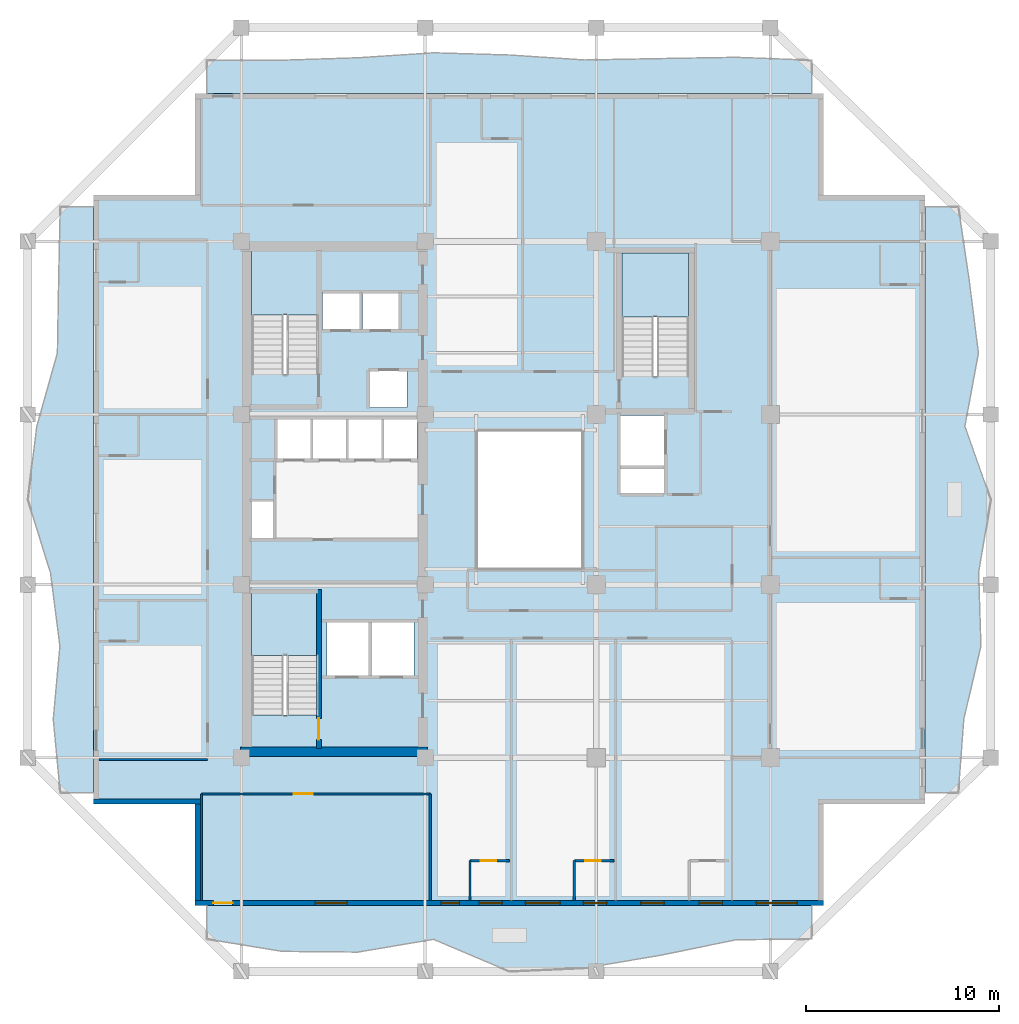
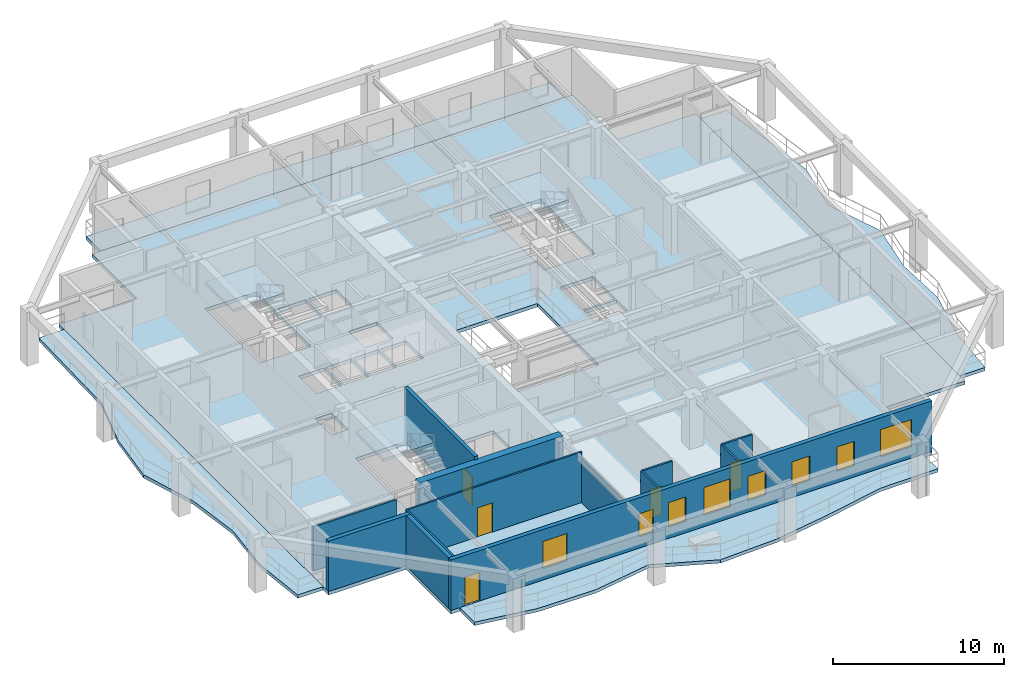
# One storey, part 2 of 12: 13 walls, 8 slabs, 8 windows, 5 doors, 13 openings, 3 elements without a shape of their own.
"""IFC4 building model written with IfcOpenShell, lengths in metres."""

from ifc_helpers import new_model, si_unit, direction, frame, frame_2d, origin, place, context, subcontext, project, spatial, polyline, rectangle, outline, extrude, material, layer, layer_set, type_object, element, fill, aggregate, save


model = new_model("IFC4")

# Units and contexts
model_context = context("Model", 3, precision=1e-05, world=origin(), true_north=direction((0.0, 1.0)))
body_context = subcontext(model_context, "Body", "Model", "MODEL_VIEW")
ifc_project = project(units=[si_unit("LENGTHUNIT", "METRE"), si_unit("AREAUNIT", "SQUARE_METRE"), si_unit("VOLUMEUNIT", "CUBIC_METRE"), si_unit("PLANEANGLEUNIT", "RADIAN"), si_unit("MASSUNIT", "GRAM", prefix="KILO")], contexts=[model_context])

# Site, building, storey
site_placement = place(None, origin())
site = spatial("IfcSite", under=ifc_project, at=site_placement, CompositionType="ELEMENT")
building_placement = place(site_placement, origin())
building = spatial("IfcBuilding", under=site, at=building_placement, Name="Kundavana Baori Tower", CompositionType="ELEMENT")
storey_placement = place(building_placement, frame((0.0, 0.0, 173.300048828125)))
storey = spatial("IfcBuildingStorey", under=building, at=storey_placement, Name="L42", CompositionType="ELEMENT", Elevation=173.300048828125)

# Slab
ifc_material_1 = material(Name="Concrete C40/50", Category="concrete")
ifc_layer_1 = layer(ifc_material_1, 0.25, Name="SLB-FLR-250")
ifc_layer_set_1 = layer_set([ifc_layer_1], Name="Concrete C40/50")
slab_type_1 = type_object("IfcSlabType", Name="SLB-FLR-250", PredefinedType="FLOOR", material=ifc_layer_set_1)
slab_1_placement = place(storey_placement, frame((0.0, 0.0, -0.25)))
element("IfcSlab", 1, at=slab_1_placement, inside=storey, type_object=slab_type_1, Name="L42 Structural Floor Slab", PredefinedType="FLOOR", context=body_context, shape_type="SweptSolid", body=[
    extrude(outline(polyline([(13.050048828125, 7.60009765625), (45.550048828125, 7.60009765625), (45.550048828125, 12.85009765625), (50.800048828125, 12.85009765625), (50.800048828125, 44.35009765625), (45.550048828125, 44.35009765625), (45.550048828125, 49.60009765625), (13.050048828125, 49.60009765625), (13.050048828125, 44.35009765625), (7.800048828125, 44.35009765625), (7.800048828125, 12.85009765625), (13.050048828125, 12.85009765625), (13.050048828125, 7.60009765625)]), holes=[polyline([(19.43994140625, 17.4619140625), (19.43994140625, 23.85009765625), (15.97998046875, 23.85009765625), (15.97998046875, 17.4619140625), (19.43994140625, 17.4619140625)]), polyline([(19.43994140625, 35.06201171875), (19.43994140625, 41.449951171875), (15.97998046875, 41.449951171875), (15.97998046875, 35.06201171875), (19.43994140625, 35.06201171875)]), polyline([(38.580078125, 34.9619140625), (38.580078125, 41.35009765625), (35.1201171875, 41.35009765625), (35.1201171875, 34.9619140625), (38.580078125, 34.9619140625)]), polyline([(17.300048828125, 30.699951171875), (19.02001953125, 30.699951171875), (19.02001953125, 32.75), (17.300048828125, 32.75), (17.300048828125, 30.699951171875)]), polyline([(19.139892578125, 30.699951171875), (20.860107421875, 30.699951171875), (20.860107421875, 32.75), (19.139892578125, 32.75), (19.139892578125, 30.699951171875)]), polyline([(20.97998046875, 30.699951171875), (22.699951171875, 30.699951171875), (22.699951171875, 32.75), (20.97998046875, 32.75), (20.97998046875, 30.699951171875)]), polyline([(22.820068359375, 30.699951171875), (24.5400390625, 30.699951171875), (24.5400390625, 32.75), (22.820068359375, 32.75), (22.820068359375, 30.699951171875)]), polyline([(19.64990234375, 37.39990234375), (21.550048828125, 37.39990234375), (21.550048828125, 39.300048828125), (19.64990234375, 39.300048828125), (19.64990234375, 37.39990234375)]), polyline([(21.699951171875, 37.39990234375), (23.60009765625, 37.39990234375), (23.60009765625, 39.300048828125), (21.699951171875, 39.300048828125), (21.699951171875, 37.39990234375)]), polyline([(22.10009765625, 33.35009765625), (24.0, 33.35009765625), (24.0, 35.25), (22.10009765625, 35.25), (22.10009765625, 33.35009765625)]), polyline([(19.8798828125, 19.5), (22.02001953125, 19.5), (22.02001953125, 22.25), (19.8798828125, 22.25), (19.8798828125, 19.5)]), polyline([(22.179931640625, 19.5), (24.3798828125, 19.5), (24.3798828125, 22.25), (22.179931640625, 22.25), (22.179931640625, 19.5)]), polyline([(35.050048828125, 30.35009765625), (37.300048828125, 30.35009765625), (37.300048828125, 32.949951171875), (35.050048828125, 32.949951171875), (35.050048828125, 30.35009765625)]), polyline([(15.949951171875, 26.60009765625), (17.080078125, 26.60009765625), (17.080078125, 28.5), (15.949951171875, 28.5), (15.949951171875, 26.60009765625)]), polyline([(35.050048828125, 28.949951171875), (37.300048828125, 28.949951171875), (37.300048828125, 30.199951171875), (35.050048828125, 30.199951171875), (35.050048828125, 28.949951171875)]), polyline([(27.60009765625, 25.0), (33.10009765625, 25.0), (33.10009765625, 32.199951171875), (27.60009765625, 32.199951171875), (27.60009765625, 25.0)])]), origin(), (0.0, 0.0, 1.0), 0.25),
])

# Stair, slab
ifc_material_2 = material(Name="Concrete C40/50", Category="concrete")
stair_type = type_object("IfcStairType", Name="STR-DOG-1650", PredefinedType="HALF_TURN_STAIR", material=ifc_material_2)
stair_1_placement = place(storey_placement, origin())
stair_1 = element("IfcStair", 2, at=stair_1_placement, inside=storey, type_object=stair_type, Name="L42 Protected Exit Stair ST1", PredefinedType="HALF_TURN_STAIR")
ifc_material_3 = material(Name="Concrete C40/50", Category="concrete")
ifc_layer_2 = layer(ifc_material_3, 0.199951171875, Name="SLB-LND-200")
ifc_layer_set_2 = layer_set([ifc_layer_2], Name="Concrete C40/50")
slab_type_2 = type_object("IfcSlabType", Name="SLB-LND-200", PredefinedType="LANDING", material=ifc_layer_set_2)
slab_2_placement = place(storey_placement, frame((0.0, 0.0, 1.724853515625)))
slab_2 = element("IfcSlab", 3, at=slab_2_placement, type_object=slab_type_2, Name="ST1 landing 1", PredefinedType="LANDING", context=body_context, shape_type="SweptSolid", body=[
    extrude(outline(polyline([(19.43994140625, 20.550048828125), (19.43994140625, 23.85009765625), (15.97998046875, 23.85009765625), (15.97998046875, 20.550048828125), (19.43994140625, 20.550048828125)])), origin(), (0.0, 0.0, 1.0), 0.2001953125),
])
aggregate(stair_1, [slab_2])

stair_2_placement = place(storey_placement, origin())
stair_2 = element("IfcStair", 4, at=stair_2_placement, inside=storey, type_object=stair_type, Name="L42 Protected Exit Stair ST2", PredefinedType="HALF_TURN_STAIR")
slab_3_placement = place(storey_placement, frame((0.0, 0.0, 1.724853515625)))
slab_3 = element("IfcSlab", 5, at=slab_3_placement, type_object=slab_type_2, Name="ST2 landing 1", PredefinedType="LANDING", context=body_context, shape_type="SweptSolid", body=[
    extrude(outline(polyline([(19.43994140625, 38.14990234375), (19.43994140625, 41.449951171875), (15.97998046875, 41.449951171875), (15.97998046875, 38.14990234375), (19.43994140625, 38.14990234375)])), origin(), (0.0, 0.0, 1.0), 0.2001953125),
])
aggregate(stair_2, [slab_3])

stair_3_placement = place(storey_placement, origin())
stair_3 = element("IfcStair", 6, at=stair_3_placement, inside=storey, type_object=stair_type, Name="L42 Protected Exit Stair ST3", PredefinedType="HALF_TURN_STAIR")
slab_4_placement = place(storey_placement, frame((0.0, 0.0, 1.724853515625)))
slab_4 = element("IfcSlab", 7, at=slab_4_placement, type_object=slab_type_2, Name="ST3 landing 1", PredefinedType="LANDING", context=body_context, shape_type="SweptSolid", body=[
    extrude(outline(polyline([(38.580078125, 38.050048828125), (38.580078125, 41.35009765625), (35.1201171875, 41.35009765625), (35.1201171875, 38.050048828125), (38.580078125, 38.050048828125)])), origin(), (0.0, 0.0, 1.0), 0.2001953125),
])
aggregate(stair_3, [slab_4])

# Slabs
ifc_material_4 = material(Name="Concrete C40/50", Category="concrete")
ifc_layer_3 = layer(ifc_material_4, 0.239990234375, Name="SLB-LOG-240")
ifc_layer_set_3 = layer_set([ifc_layer_3], Name="Concrete C40/50")
slab_type_3 = type_object("IfcSlabType", Name="SLB-LOG-240", PredefinedType="FLOOR", material=ifc_layer_set_3)
slab_5_placement = place(storey_placement, frame((0.0, 0.0, -0.239990234375)))
element("IfcSlab", 8, at=slab_5_placement, inside=storey, type_object=slab_type_3, Name="L42 Planted Loggia Balcony Slab S", PredefinedType="FLOOR", context=body_context, shape_type="SweptSolid", body=[
    extrude(outline(polyline([(13.64990234375, 7.60009765625), (44.949951171875, 7.60009765625), (44.949951171875, 5.8798828125), (41.0380859375, 5.840087890625), (37.125, 5.0380859375), (33.212890625, 4.376953125), (29.300048828125, 4.199951171875), (25.387939453125, 5.862060546875), (21.47509765625, 5.200927734375), (17.56201171875, 5.238037109375), (13.64990234375, 5.8798828125), (13.64990234375, 7.60009765625)])), origin(), (0.0, 0.0, 1.0), 0.239990234375),
])
slab_6_placement = place(storey_placement, frame((0.0, 0.0, -0.239990234375)))
element("IfcSlab", 9, at=slab_6_placement, inside=storey, type_object=slab_type_3, Name="L42 Planted Loggia Balcony Slab E", PredefinedType="FLOOR", context=body_context, shape_type="SweptSolid", body=[
    extrude(outline(polyline([(50.800048828125, 13.449951171875), (50.800048828125, 43.75), (52.52001953125, 43.75), (53.080078125, 39.9619140625), (53.56103515625, 36.175048828125), (52.85888671875, 32.387939453125), (54.199951171875, 28.60009765625), (53.569091796875, 24.81201171875), (53.69091796875, 21.02490234375), (52.802978515625, 17.238037109375), (52.52001953125, 13.449951171875), (50.800048828125, 13.449951171875)])), origin(), (0.0, 0.0, 1.0), 0.239990234375),
])
slab_7_placement = place(storey_placement, frame((0.0, 0.0, -0.239990234375)))
element("IfcSlab", 10, at=slab_7_placement, inside=storey, type_object=slab_type_3, Name="L42 Planted Loggia Balcony Slab N", PredefinedType="FLOOR", context=body_context, shape_type="SweptSolid", body=[
    extrude(outline(polyline([(44.949951171875, 49.60009765625), (13.64990234375, 49.60009765625), (13.64990234375, 51.320068359375), (17.56201171875, 51.320068359375), (21.47509765625, 51.447021484375), (25.387939453125, 51.7041015625), (29.300048828125, 51.590087890625), (33.212890625, 51.33203125), (37.125, 51.406005859375), (41.0380859375, 51.470947265625), (44.949951171875, 51.320068359375), (44.949951171875, 49.60009765625)])), origin(), (0.0, 0.0, 1.0), 0.239990234375),
])
slab_8_placement = place(storey_placement, frame((0.0, 0.0, -0.239990234375)))
element("IfcSlab", 11, at=slab_8_placement, inside=storey, type_object=slab_type_3, Name="L42 Planted Loggia Balcony Slab W", PredefinedType="FLOOR", context=body_context, shape_type="SweptSolid", body=[
    extrude(outline(polyline([(7.800048828125, 43.75), (7.800048828125, 13.449951171875), (6.080078125, 13.449951171875), (5.719970703125, 17.238037109375), (6.06298828125, 21.02490234375), (5.576904296875, 24.81201171875), (4.39990234375, 28.60009765625), (4.866943359375, 32.387939453125), (5.93310546875, 36.175048828125), (5.998046875, 39.9619140625), (6.080078125, 43.75), (7.800048828125, 43.75)])), origin(), (0.0, 0.0, 1.0), 0.239990234375),
])

# Wall, opening, door
ifc_material_5 = material(Name="Concrete C50/60", Category="concrete")
ifc_layer_4 = layer(ifc_material_5, 0.39990234375, Name="WL-CORE-400")
ifc_layer_set_4 = layer_set([ifc_layer_4], Name="Concrete C50/60")
wall_type_1 = type_object("IfcWallType", Name="WL-CORE-400", PredefinedType="SHEAR", material=ifc_layer_set_4)
wall_1_placement = place(storey_placement, frame((19.4599609375, 15.739990234375, 0.0), z_axis=(0.0, 0.0, 1.0), x_axis=(0.0, 1.0, 0.0)))
wall_1 = element("IfcWall", 12, at=wall_1_placement, inside=storey, type_object=wall_type_1, Name="WL-L42-ST1-E", PredefinedType="SHEAR", context=body_context, shape_type="SweptSolid", body=[
    extrude(rectangle(XDim=8.199951171875, YDim=0.239990234375, at=frame_2d((4.10009765625, 0.0))), origin(), (0.0, 0.0, 1.0), 3.849853515625),
])
opening_1_placement = place(wall_1_placement, frame((0.449951171875, 0.0, 0.0)))
opening_1 = element("IfcOpeningElement", 13, at=opening_1_placement, cuts=wall_1, Name="Opening FD-110", PredefinedType="OPENING", context=body_context, shape_type="SweptSolid", body=[
    extrude(rectangle(XDim=1.10009765625, YDim=2.10009765625, at=frame_2d((0.550048828125, 1.050048828125))), frame((0.0, 0.1298828125, 0.0), z_axis=(0.0, -1.0, 0.0), x_axis=(1.0, 0.0, 0.0)), (0.0, 0.0, 1.0), 0.260009765625),
])
ifc_material_6 = material(Name="Galvanised Steel Fire-Rated Door Leaf", Category="steel")
door_type_1 = type_object("IfcDoorType", Name="DR-FD120-1100", OperationType="NOTDEFINED", PredefinedType="DOOR", material=ifc_material_6)
door_1_placement = place(opening_1_placement, origin())
door_1 = element("IfcDoor", 14, at=door_1_placement, inside=storey, type_object=door_type_1, Name="DR-L42-ST1", OperationType="SINGLE_SWING_LEFT", OverallHeight=2.10009765625, OverallWidth=1.10009765625, PredefinedType="DOOR", context=body_context, shape_type="SweptSolid", body=[
    extrude(rectangle(XDim=1.10009765625, YDim=2.10009765625, at=frame_2d((0.550048828125, 1.050048828125))), frame((0.0, 0.02490234375, 0.0), z_axis=(0.0, -1.0, 0.0), x_axis=(1.0, 0.0, 0.0)), (0.0, 0.0, 1.0), 0.050048828125),
])
fill(opening_1, door_1)

# Wall
ifc_material_7 = material(Name="Concrete C50/60", Category="concrete")
ifc_layer_5 = layer(ifc_material_7, 0.5, Name="WL-CORE-500")
ifc_layer_set_5 = layer_set([ifc_layer_5], Name="Concrete C50/60")
wall_type_2 = type_object("IfcWallType", Name="WL-CORE-500", PredefinedType="SHEAR", material=ifc_layer_set_5)
wall_2_placement = place(storey_placement, frame((15.39990234375, 15.56005859375, 0.0), z_axis=(0.0, 0.0, 1.0), x_axis=(1.0, 0.0, 0.0)))
element("IfcWall", 15, at=wall_2_placement, inside=storey, type_object=wall_type_2, Name="L42 Offset Core South Shear Wall", PredefinedType="SHEAR", context=body_context, shape_type="SweptSolid", body=[
    extrude(rectangle(XDim=9.68017578125, YDim=0.5, at=frame_2d((4.840087890625, 0.0))), origin(), (0.0, 0.0, 1.0), 3.599853515625),
])

# Wall, openings, door, windows
ifc_material_8 = material(Name="Red-Buff Dholpur Sandstone Cladding on Concrete C40/50", Category="masonry")
ifc_layer_6 = layer(ifc_material_8, 0.280029296875, Name="WL-EXT-SAND-280")
ifc_layer_set_6 = layer_set([ifc_layer_6], Name="Red-Buff Dholpur Sandstone Cladding on Concrete C40/50")
wall_type_3 = type_object("IfcWallType", Name="WL-EXT-SAND-280", PredefinedType="STANDARD", material=ifc_layer_set_6)
wall_3_placement = place(storey_placement, frame((13.050048828125, 7.739990234375, 0.0), z_axis=(0.0, 0.0, 1.0), x_axis=(1.0, 0.0, 0.0)))
wall_3 = element("IfcWall", 16, at=wall_3_placement, inside=storey, type_object=wall_type_3, Name="L42 Exterior Insulated Facade Wall 01", PredefinedType="STANDARD", context=body_context, shape_type="SweptSolid", body=[
    extrude(rectangle(XDim=32.5, YDim=0.280029296875, at=frame_2d((16.25, 0.0))), origin(), (0.0, 0.0, 1.0), 3.599853515625),
])
opening_2_placement = place(wall_3_placement, frame((0.949951171875, 0.0, 0.0)))
opening_2 = element("IfcOpeningElement", 17, at=opening_2_placement, cuts=wall_3, Name="Opening BD-1", PredefinedType="OPENING", context=body_context, shape_type="SweptSolid", body=[
    extrude(rectangle(XDim=1.0, YDim=2.050048828125, at=frame_2d((0.5, 1.02490234375))), frame((0.0, 0.14990234375, 0.0), z_axis=(0.0, -1.0, 0.0), x_axis=(1.0, 0.0, 0.0)), (0.0, 0.0, 1.0), 0.300048828125),
])
opening_3_placement = place(wall_3_placement, frame((6.205078125, 0.0, 0.800048828125)))
opening_3 = element("IfcOpeningElement", 18, at=opening_3_placement, cuts=wall_3, Name="Opening W-08", PredefinedType="OPENING", context=body_context, shape_type="SweptSolid", body=[
    extrude(rectangle(XDim=1.64990234375, YDim=1.949951171875, at=frame_2d((0.824951171875, 0.97509765625))), frame((0.0, 0.14990234375, 0.0), z_axis=(0.0, -1.0, 0.0), x_axis=(1.0, 0.0, 0.0)), (0.0, 0.0, 1.0), 0.300048828125),
])
opening_4_placement = place(wall_3_placement, frame((12.719970703125, 0.0, 0.800048828125)))
opening_4 = element("IfcOpeningElement", 19, at=opening_4_placement, cuts=wall_3, Name="Opening W-13", PredefinedType="OPENING", context=body_context, shape_type="SweptSolid", body=[
    extrude(rectangle(XDim=0.949951171875, YDim=1.64990234375, at=frame_2d((0.47509765625, 0.824951171875))), frame((0.0, 0.14990234375, 0.0), z_axis=(0.0, -1.0, 0.0), x_axis=(1.0, 0.0, 0.0)), (0.0, 0.0, 1.0), 0.300048828125),
])
opening_5_placement = place(wall_3_placement, frame((14.68505859375, 0.0, 0.800048828125)))
opening_5 = element("IfcOpeningElement", 20, at=opening_5_placement, cuts=wall_3, Name="Opening W-03", PredefinedType="OPENING", context=body_context, shape_type="SweptSolid", body=[
    extrude(rectangle(XDim=1.199951171875, YDim=1.75, at=frame_2d((0.60009765625, 0.875))), frame((0.0, 0.14990234375, 0.0), z_axis=(0.0, -1.0, 0.0), x_axis=(1.0, 0.0, 0.0)), (0.0, 0.0, 1.0), 0.300048828125),
])
opening_6_placement = place(wall_3_placement, frame((17.0849609375, 0.0, 0.800048828125)))
opening_6 = element("IfcOpeningElement", 21, at=opening_6_placement, cuts=wall_3, Name="Opening W-01", PredefinedType="OPENING", context=body_context, shape_type="SweptSolid", body=[
    extrude(rectangle(XDim=1.800048828125, YDim=2.0, at=frame_2d((0.89990234375, 1.0))), frame((0.0, 0.14990234375, 0.0), z_axis=(0.0, -1.0, 0.0), x_axis=(1.0, 0.0, 0.0)), (0.0, 0.0, 1.0), 0.300048828125),
])
opening_7_placement = place(wall_3_placement, frame((20.0849609375, 0.0, 0.800048828125)))
opening_7 = element("IfcOpeningElement", 22, at=opening_7_placement, cuts=wall_3, Name="Opening W-03", PredefinedType="OPENING", context=body_context, shape_type="SweptSolid", body=[
    extrude(rectangle(XDim=1.199951171875, YDim=1.75, at=frame_2d((0.60009765625, 0.875))), frame((0.0, 0.14990234375, 0.0), z_axis=(0.0, -1.0, 0.0), x_axis=(1.0, 0.0, 0.0)), (0.0, 0.0, 1.0), 0.300048828125),
])
opening_8_placement = place(wall_3_placement, frame((23.054931640625, 0.0, 0.800048828125)))
opening_8 = element("IfcOpeningElement", 23, at=opening_8_placement, cuts=wall_3, Name="Opening W-03", PredefinedType="OPENING", context=body_context, shape_type="SweptSolid", body=[
    extrude(rectangle(XDim=1.199951171875, YDim=1.75, at=frame_2d((0.60009765625, 0.875))), frame((0.0, 0.14990234375, 0.0), z_axis=(0.0, -1.0, 0.0), x_axis=(1.0, 0.0, 0.0)), (0.0, 0.0, 1.0), 0.300048828125),
])
opening_9_placement = place(wall_3_placement, frame((26.06494140625, 0.0, 0.800048828125)))
opening_9 = element("IfcOpeningElement", 24, at=opening_9_placement, cuts=wall_3, Name="Opening W-03", PredefinedType="OPENING", context=body_context, shape_type="SweptSolid", body=[
    extrude(rectangle(XDim=1.199951171875, YDim=1.75, at=frame_2d((0.60009765625, 0.875))), frame((0.0, 0.14990234375, 0.0), z_axis=(0.0, -1.0, 0.0), x_axis=(1.0, 0.0, 0.0)), (0.0, 0.0, 1.0), 0.300048828125),
])
opening_10_placement = place(wall_3_placement, frame((29.030029296875, 0.0, 0.800048828125)))
opening_10 = element("IfcOpeningElement", 25, at=opening_10_placement, cuts=wall_3, Name="Opening W-05", PredefinedType="OPENING", context=body_context, shape_type="SweptSolid", body=[
    extrude(rectangle(XDim=2.10009765625, YDim=1.949951171875, at=frame_2d((1.050048828125, 0.97509765625))), frame((0.0, 0.14990234375, 0.0), z_axis=(0.0, -1.0, 0.0), x_axis=(1.0, 0.0, 0.0)), (0.0, 0.0, 1.0), 0.300048828125),
])
ifc_material_9 = material(Name="Architectural Patinated Bronze Metalwork")
door_type_2 = type_object("IfcDoorType", Name="DR-EXT-LOG-1000", OperationType="NOTDEFINED", PredefinedType="DOOR", material=ifc_material_9)
door_2_placement = place(opening_2_placement, frame((1.0, 0.0, 0.0), z_axis=(0.0, 0.0, 1.0), x_axis=(-1.0, 0.0, 0.0)))
door_2 = element("IfcDoor", 26, at=door_2_placement, inside=storey, type_object=door_type_2, Name="L42 Loggia Balcony Access Door S", OperationType="SINGLE_SWING_LEFT", OverallHeight=2.050048828125, OverallWidth=1.0, PredefinedType="DOOR", context=body_context, shape_type="SweptSolid", body=[
    extrude(rectangle(XDim=1.0, YDim=2.050048828125, at=frame_2d((0.5, 1.02490234375))), frame((0.0, 0.02490234375, 0.0), z_axis=(0.0, -1.0, 0.0), x_axis=(1.0, 0.0, 0.0)), (0.0, 0.0, 1.0), 0.050048828125),
])
fill(opening_2, door_2)
ifc_material_10 = material(Name="Double-Glazed Solar-Control Low-E Insulated Glass", Category="glass")
window_type_1 = type_object("IfcWindowType", Name="WIN-LOG-1200x1750", PartitioningType="SINGLE_PANEL", PredefinedType="WINDOW", material=ifc_material_10)
window_1_placement = place(opening_5_placement, origin())
window_1 = element("IfcWindow", 27, at=window_1_placement, inside=storey, type_object=window_type_1, Name="L42 Recessed Loggia Window S-3", OverallHeight=1.75, OverallWidth=1.199951171875, PartitioningType="SINGLE_PANEL", PredefinedType="WINDOW", context=body_context, shape_type="SweptSolid", body=[
    extrude(rectangle(XDim=1.199951171875, YDim=1.75, at=frame_2d((0.60009765625, 0.875))), frame((0.0, 0.030029296875, 0.0), z_axis=(0.0, -1.0, 0.0), x_axis=(1.0, 0.0, 0.0)), (0.0, 0.0, 1.0), 0.06005859375),
])
fill(opening_5, window_1)
window_2_placement = place(opening_7_placement, origin())
window_2 = element("IfcWindow", 28, at=window_2_placement, inside=storey, type_object=window_type_1, Name="L42 Recessed Loggia Window S-5", OverallHeight=1.75, OverallWidth=1.199951171875, PartitioningType="SINGLE_PANEL", PredefinedType="WINDOW", context=body_context, shape_type="SweptSolid", body=[
    extrude(rectangle(XDim=1.199951171875, YDim=1.75, at=frame_2d((0.60009765625, 0.875))), frame((0.0, 0.030029296875, 0.0), z_axis=(0.0, -1.0, 0.0), x_axis=(1.0, 0.0, 0.0)), (0.0, 0.0, 1.0), 0.06005859375),
])
fill(opening_7, window_2)
window_3_placement = place(opening_8_placement, origin())
window_3 = element("IfcWindow", 29, at=window_3_placement, inside=storey, type_object=window_type_1, Name="L42 Recessed Loggia Window S-6", OverallHeight=1.75, OverallWidth=1.199951171875, PartitioningType="SINGLE_PANEL", PredefinedType="WINDOW", context=body_context, shape_type="SweptSolid", body=[
    extrude(rectangle(XDim=1.199951171875, YDim=1.75, at=frame_2d((0.60009765625, 0.875))), frame((0.0, 0.030029296875, 0.0), z_axis=(0.0, -1.0, 0.0), x_axis=(1.0, 0.0, 0.0)), (0.0, 0.0, 1.0), 0.06005859375),
])
fill(opening_8, window_3)
window_4_placement = place(opening_9_placement, origin())
window_4 = element("IfcWindow", 30, at=window_4_placement, inside=storey, type_object=window_type_1, Name="L42 Recessed Loggia Window S-7", OverallHeight=1.75, OverallWidth=1.199951171875, PartitioningType="SINGLE_PANEL", PredefinedType="WINDOW", context=body_context, shape_type="SweptSolid", body=[
    extrude(rectangle(XDim=1.199951171875, YDim=1.75, at=frame_2d((0.60009765625, 0.875))), frame((0.0, 0.030029296875, 0.0), z_axis=(0.0, -1.0, 0.0), x_axis=(1.0, 0.0, 0.0)), (0.0, 0.0, 1.0), 0.06005859375),
])
fill(opening_9, window_4)
ifc_material_11 = material(Name="Double-Glazed Solar-Control Low-E Insulated Glass", Category="glass")
window_type_2 = type_object("IfcWindowType", Name="WIN-LOG-1650x1950", PartitioningType="SINGLE_PANEL", PredefinedType="WINDOW", material=ifc_material_11)
window_5_placement = place(opening_3_placement, origin())
window_5 = element("IfcWindow", 31, at=window_5_placement, inside=storey, type_object=window_type_2, Name="L42 Recessed Loggia Window S-1", OverallHeight=1.949951171875, OverallWidth=1.64990234375, PartitioningType="SINGLE_PANEL", PredefinedType="WINDOW", context=body_context, shape_type="SweptSolid", body=[
    extrude(rectangle(XDim=1.64990234375, YDim=1.949951171875, at=frame_2d((0.824951171875, 0.97509765625))), frame((0.0, 0.030029296875, 0.0), z_axis=(0.0, -1.0, 0.0), x_axis=(1.0, 0.0, 0.0)), (0.0, 0.0, 1.0), 0.06005859375),
])
fill(opening_3, window_5)
ifc_material_12 = material(Name="Double-Glazed Solar-Control Low-E Insulated Glass", Category="glass")
window_type_3 = type_object("IfcWindowType", Name="WIN-LOG-1800x2000", PartitioningType="SINGLE_PANEL", PredefinedType="WINDOW", material=ifc_material_12)
window_6_placement = place(opening_6_placement, origin())
window_6 = element("IfcWindow", 32, at=window_6_placement, inside=storey, type_object=window_type_3, Name="L42 Recessed Loggia Window S-4", OverallHeight=2.0, OverallWidth=1.800048828125, PartitioningType="SINGLE_PANEL", PredefinedType="WINDOW", context=body_context, shape_type="SweptSolid", body=[
    extrude(rectangle(XDim=1.800048828125, YDim=2.0, at=frame_2d((0.89990234375, 1.0))), frame((0.0, 0.030029296875, 0.0), z_axis=(0.0, -1.0, 0.0), x_axis=(1.0, 0.0, 0.0)), (0.0, 0.0, 1.0), 0.06005859375),
])
fill(opening_6, window_6)
ifc_material_13 = material(Name="Double-Glazed Solar-Control Low-E Insulated Glass", Category="glass")
window_type_4 = type_object("IfcWindowType", Name="WIN-LOG-2100x1950", PartitioningType="SINGLE_PANEL", PredefinedType="WINDOW", material=ifc_material_13)
window_7_placement = place(opening_10_placement, origin())
window_7 = element("IfcWindow", 33, at=window_7_placement, inside=storey, type_object=window_type_4, Name="L42 Recessed Loggia Window S-8", OverallHeight=1.949951171875, OverallWidth=2.10009765625, PartitioningType="SINGLE_PANEL", PredefinedType="WINDOW", context=body_context, shape_type="SweptSolid", body=[
    extrude(rectangle(XDim=2.10009765625, YDim=1.949951171875, at=frame_2d((1.050048828125, 0.97509765625))), frame((0.0, 0.030029296875, 0.0), z_axis=(0.0, -1.0, 0.0), x_axis=(1.0, 0.0, 0.0)), (0.0, 0.0, 1.0), 0.06005859375),
])
fill(opening_10, window_7)
ifc_material_14 = material(Name="Double-Glazed Solar-Control Low-E Insulated Glass", Category="glass")
window_type_5 = type_object("IfcWindowType", Name="WIN-LOG-950x1650", PartitioningType="SINGLE_PANEL", PredefinedType="WINDOW", material=ifc_material_14)
window_8_placement = place(opening_4_placement, origin())
window_8 = element("IfcWindow", 34, at=window_8_placement, inside=storey, type_object=window_type_5, Name="L42 Recessed Loggia Window S-2", OverallHeight=1.64990234375, OverallWidth=0.949951171875, PartitioningType="SINGLE_PANEL", PredefinedType="WINDOW", context=body_context, shape_type="SweptSolid", body=[
    extrude(rectangle(XDim=0.949951171875, YDim=1.64990234375, at=frame_2d((0.47509765625, 0.824951171875))), frame((0.0, 0.030029296875, 0.0), z_axis=(0.0, -1.0, 0.0), x_axis=(1.0, 0.0, 0.0)), (0.0, 0.0, 1.0), 0.06005859375),
])
fill(opening_4, window_8)

# Walls
wall_4_placement = place(storey_placement, frame((7.800048828125, 12.989990234375, 0.0), z_axis=(0.0, 0.0, 1.0), x_axis=(1.0, 0.0, 0.0)))
element("IfcWall", 35, at=wall_4_placement, inside=storey, type_object=wall_type_3, Name="L42 Exterior Insulated Facade Wall 11", PredefinedType="STANDARD", context=body_context, shape_type="SweptSolid", body=[
    extrude(rectangle(XDim=5.530029296875, YDim=0.280029296875, at=frame_2d((2.76513671875, 0.0))), origin(), (0.0, 0.0, 1.0), 3.599853515625),
])
wall_5_placement = place(storey_placement, frame((13.18994140625, 12.85009765625, 0.0), z_axis=(0.0, 0.0, 1.0), x_axis=(0.0, -1.0, 0.0)))
element("IfcWall", 36, at=wall_5_placement, inside=storey, type_object=wall_type_3, Name="L42 Exterior Insulated Facade Wall 12", PredefinedType="STANDARD", context=body_context, shape_type="SweptSolid", body=[
    extrude(rectangle(XDim=4.97021484375, YDim=0.280029296875, at=frame_2d((2.485107421875, 0.0))), origin(), (0.0, 0.0, 1.0), 3.599853515625),
])
ifc_material_15 = material(Name="Acoustic Gypsum Plasterboard on Galvanised Steel Studs", Category="steel")
ifc_layer_7 = layer(ifc_material_15, 0.1201171875, Name="WL-PART-120")
ifc_layer_set_7 = layer_set([ifc_layer_7], Name="Acoustic Gypsum Plasterboard on Galvanised Steel Studs")
wall_type_4 = type_object("IfcWallType", Name="WL-PART-120", PredefinedType="PARTITIONING", material=ifc_layer_set_7)
wall_6_placement = place(storey_placement, frame((8.080078125, 15.159912109375, 0.0), z_axis=(0.0, 0.0, 1.0), x_axis=(1.0, 0.0, 0.0)))
element("IfcWall", 37, at=wall_6_placement, inside=storey, type_object=wall_type_4, Name="WL-L42-HWS", PredefinedType="PARTITIONING", context=body_context, shape_type="SweptSolid", body=[
    extrude(rectangle(XDim=5.619873046875, YDim=0.1201171875, at=frame_2d((2.81005859375, 0.0))), origin(), (0.0, 0.0, 1.0), 3.14990234375),
])

# Wall, opening, door
wall_7_placement = place(storey_placement, frame((13.389892578125, 13.3798828125, 0.0), z_axis=(0.0, 0.0, 1.0), x_axis=(1.0, 0.0, 0.0)))
wall_7 = element("IfcWall", 38, at=wall_7_placement, inside=storey, type_object=wall_type_4, Name="WL-L42-HSC", PredefinedType="PARTITIONING", context=body_context, shape_type="SweptSolid", body=[
    extrude(rectangle(XDim=11.830078125, YDim=0.1201171875, at=frame_2d((5.9150390625, 0.0))), origin(), (0.0, 0.0, 1.0), 3.599853515625),
])
opening_11_placement = place(wall_7_placement, frame((4.760009765625, 0.0, 0.0)))
opening_11 = element("IfcOpeningElement", 39, at=opening_11_placement, cuts=wall_7, Name="Opening ID-100", PredefinedType="OPENING", context=body_context, shape_type="SweptSolid", body=[
    extrude(rectangle(XDim=1.0, YDim=2.080078125, at=frame_2d((0.5, 1.0400390625))), frame((0.0, 0.070068359375, 0.0), z_axis=(0.0, -1.0, 0.0), x_axis=(1.0, 0.0, 0.0)), (0.0, 0.0, 1.0), 0.14013671875),
])
ifc_material_16 = material(Name="Engineered Teak Solid-Core Timber Veneer", Category="wood")
door_type_3 = type_object("IfcDoorType", Name="DR-INT-1000", OperationType="NOTDEFINED", PredefinedType="DOOR", material=ifc_material_16)
door_3_placement = place(opening_11_placement, frame((1.0, 0.0, 0.0), z_axis=(0.0, 0.0, 1.0), x_axis=(-1.0, 0.0, 0.0)))
door_3 = element("IfcDoor", 40, at=door_3_placement, inside=storey, type_object=door_type_3, Name="DR-L42-HMSW", OperationType="SINGLE_SWING_LEFT", OverallHeight=2.080078125, OverallWidth=1.0, PredefinedType="DOOR", context=body_context, shape_type="SweptSolid", body=[
    extrude(rectangle(XDim=1.0, YDim=2.080078125, at=frame_2d((0.5, 1.0400390625))), frame((0.0, 0.02490234375, 0.0), z_axis=(0.0, -1.0, 0.0), x_axis=(1.0, 0.0, 0.0)), (0.0, 0.0, 1.0), 0.050048828125),
])
fill(opening_11, door_3)

# Walls
wall_8_placement = place(storey_placement, frame((13.389892578125, 7.8798828125, 0.0), z_axis=(0.0, 0.0, 1.0), x_axis=(0.0, 1.0, 0.0)))
element("IfcWall", 41, at=wall_8_placement, inside=storey, type_object=wall_type_4, Name="WL-L42-HSCW", PredefinedType="PARTITIONING", context=body_context, shape_type="SweptSolid", body=[
    extrude(rectangle(XDim=5.5, YDim=0.1201171875, at=frame_2d((2.75, 0.0))), origin(), (0.0, 0.0, 1.0), 3.599853515625),
])
wall_9_placement = place(storey_placement, frame((25.219970703125, 7.8798828125, 0.0), z_axis=(0.0, 0.0, 1.0), x_axis=(0.0, 1.0, 0.0)))
element("IfcWall", 42, at=wall_9_placement, inside=storey, type_object=wall_type_4, Name="WL-L42-HSCE", PredefinedType="PARTITIONING", context=body_context, shape_type="SweptSolid", body=[
    extrude(rectangle(XDim=5.5, YDim=0.1201171875, at=frame_2d((2.75, 0.0))), origin(), (0.0, 0.0, 1.0), 3.14990234375),
])
ifc_material_17 = material(Name="Autoclaved Aerated Concrete Blockwork Masonry", Category="masonry")
ifc_layer_8 = layer(ifc_material_17, 0.125, Name="WL-WET-120")
ifc_layer_set_8 = layer_set([ifc_layer_8], Name="Autoclaved Aerated Concrete Blockwork Masonry")
wall_type_5 = type_object("IfcWallType", Name="WL-WET-120", PredefinedType="PLUMBINGWALL", material=ifc_layer_set_8)
wall_10_placement = place(storey_placement, frame((27.27001953125, 7.8798828125, 0.0), z_axis=(0.0, 0.0, 1.0), x_axis=(0.0, 1.0, 0.0)))
element("IfcWall", 43, at=wall_10_placement, inside=storey, type_object=wall_type_5, Name="WL-L42-HK-S1-BW", PredefinedType="PLUMBINGWALL", context=body_context, shape_type="SweptSolid", body=[
    extrude(rectangle(XDim=2.050048828125, YDim=0.125, at=frame_2d((1.02490234375, 0.0))), origin(), (0.0, 0.0, 1.0), 3.599853515625),
])

# Wall, opening, door
wall_11_placement = place(storey_placement, frame((27.27001953125, 9.929931640625, 0.0), z_axis=(0.0, 0.0, 1.0), x_axis=(1.0, 0.0, 0.0)))
wall_11 = element("IfcWall", 44, at=wall_11_placement, inside=storey, type_object=wall_type_5, Name="WL-L42-HK-S1-BN", PredefinedType="PLUMBINGWALL", context=body_context, shape_type="SweptSolid", body=[
    extrude(rectangle(XDim=2.050048828125, YDim=0.125, at=frame_2d((1.02490234375, 0.0))), origin(), (0.0, 0.0, 1.0), 3.599853515625),
])
opening_12_placement = place(wall_11_placement, frame((0.550048828125, 0.0, 0.0)))
opening_12 = element("IfcOpeningElement", 45, at=opening_12_placement, cuts=wall_11, Name="Opening WD-080", PredefinedType="OPENING", context=body_context, shape_type="SweptSolid", body=[
    extrude(rectangle(XDim=0.800048828125, YDim=2.050048828125, at=frame_2d((0.39990234375, 1.02490234375))), frame((0.0, 0.072509765625, 0.0), z_axis=(0.0, -1.0, 0.0), x_axis=(1.0, 0.0, 0.0)), (0.0, 0.0, 1.0), 0.14501953125),
])
ifc_material_18 = material(Name="Engineered Teak Solid-Core Timber Veneer", Category="wood")
door_type_4 = type_object("IfcDoorType", Name="DR-WET-800", OperationType="NOTDEFINED", PredefinedType="DOOR", material=ifc_material_18)
door_4_placement = place(opening_12_placement, origin())
door_4 = element("IfcDoor", 46, at=door_4_placement, inside=storey, type_object=door_type_4, Name="DR-L42-HK-S1-ENS", OperationType="SINGLE_SWING_LEFT", OverallHeight=2.050048828125, OverallWidth=0.800048828125, PredefinedType="DOOR", context=body_context, shape_type="SweptSolid", body=[
    extrude(rectangle(XDim=0.800048828125, YDim=2.050048828125, at=frame_2d((0.39990234375, 1.02490234375))), frame((0.0, 0.02490234375, 0.0), z_axis=(0.0, -1.0, 0.0), x_axis=(1.0, 0.0, 0.0)), (0.0, 0.0, 1.0), 0.050048828125),
])
fill(opening_12, door_4)

# Wall
wall_12_placement = place(storey_placement, frame((32.669921875, 7.8798828125, 0.0), z_axis=(0.0, 0.0, 1.0), x_axis=(0.0, 1.0, 0.0)))
element("IfcWall", 47, at=wall_12_placement, inside=storey, type_object=wall_type_5, Name="WL-L42-HK-S2-BW", PredefinedType="PLUMBINGWALL", context=body_context, shape_type="SweptSolid", body=[
    extrude(rectangle(XDim=2.050048828125, YDim=0.125, at=frame_2d((1.02490234375, 0.0))), origin(), (0.0, 0.0, 1.0), 3.599853515625),
])

# Wall, opening, door
wall_13_placement = place(storey_placement, frame((32.669921875, 9.929931640625, 0.0), z_axis=(0.0, 0.0, 1.0), x_axis=(1.0, 0.0, 0.0)))
wall_13 = element("IfcWall", 48, at=wall_13_placement, inside=storey, type_object=wall_type_5, Name="WL-L42-HK-S2-BN", PredefinedType="PLUMBINGWALL", context=body_context, shape_type="SweptSolid", body=[
    extrude(rectangle(XDim=2.050048828125, YDim=0.125, at=frame_2d((1.02490234375, 0.0))), origin(), (0.0, 0.0, 1.0), 3.599853515625),
])
opening_13_placement = place(wall_13_placement, frame((0.550048828125, 0.0, 0.0)))
opening_13 = element("IfcOpeningElement", 49, at=opening_13_placement, cuts=wall_13, Name="Opening WD-080", PredefinedType="OPENING", context=body_context, shape_type="SweptSolid", body=[
    extrude(rectangle(XDim=0.800048828125, YDim=2.050048828125, at=frame_2d((0.39990234375, 1.02490234375))), frame((0.0, 0.072509765625, 0.0), z_axis=(0.0, -1.0, 0.0), x_axis=(1.0, 0.0, 0.0)), (0.0, 0.0, 1.0), 0.14501953125),
])
door_5_placement = place(opening_13_placement, origin())
door_5 = element("IfcDoor", 50, at=door_5_placement, inside=storey, type_object=door_type_4, Name="DR-L42-HK-S2-ENS", OperationType="SINGLE_SWING_LEFT", OverallHeight=2.050048828125, OverallWidth=0.800048828125, PredefinedType="DOOR", context=body_context, shape_type="SweptSolid", body=[
    extrude(rectangle(XDim=0.800048828125, YDim=2.050048828125, at=frame_2d((0.39990234375, 1.02490234375))), frame((0.0, 0.02490234375, 0.0), z_axis=(0.0, -1.0, 0.0), x_axis=(1.0, 0.0, 0.0)), (0.0, 0.0, 1.0), 0.050048828125),
])
fill(opening_13, door_5)

save(model, "model.ifc")
